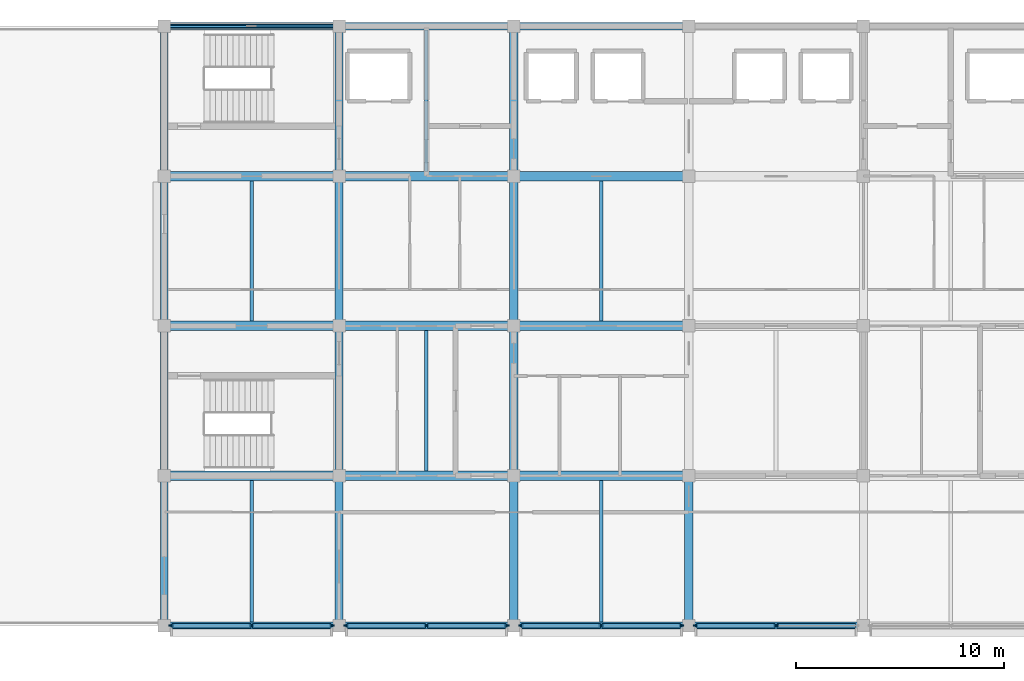
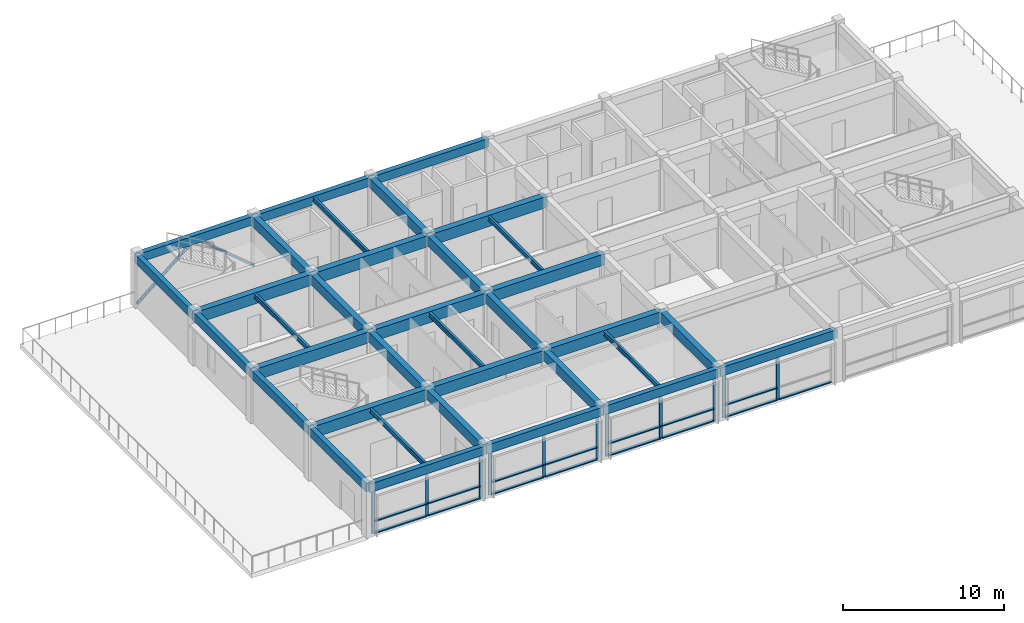
# One storey, part 2 of 13: 35 beams, 35 members, 4 elements without a shape of their own.
"""IFC4 building model written with IfcOpenShell, lengths in metres."""

from ifc_helpers import new_model, si_unit, direction, frame, origin, origin_2d, place, context, subcontext, project, spatial, rectangle, hollow_circle, i_section, extrude, material, layer, layer_set, material_profile, profile_set, type_object, element, aggregate, save


model = new_model("IFC4")

# Units and contexts
model_context = context("Model", 3, precision=1e-05, world=origin(), true_north=direction((0.0, 1.0)))
body_context = subcontext(model_context, "Body", "Model", "MODEL_VIEW")
ifc_project = project(units=[si_unit("LENGTHUNIT", "METRE"), si_unit("AREAUNIT", "SQUARE_METRE"), si_unit("VOLUMEUNIT", "CUBIC_METRE"), si_unit("PLANEANGLEUNIT", "RADIAN"), si_unit("MASSUNIT", "GRAM", prefix="KILO")], contexts=[model_context])

# Site, building, storey
site_placement = place(None, origin())
site = spatial("IfcSite", under=ifc_project, at=site_placement, CompositionType="ELEMENT")
building_placement = place(site_placement, origin())
building = spatial("IfcBuilding", under=site, at=building_placement, Name="Chengyuan Square Courthouse", CompositionType="ELEMENT")
storey_placement = place(building_placement, frame((0.0, 0.0, 60.300048828125)))
storey = spatial("IfcBuildingStorey", under=building, at=storey_placement, Name="L14", CompositionType="ELEMENT", Elevation=60.300048828125)

# Beams
ifc_material_1 = material(Name="Concrete C40", Category="concrete")
ifc_material_profile_1 = material_profile(ifc_material_1, rectangle(XDim=0.449951171875, YDim=0.85009765625, at=origin_2d()), Name="RC-BM-450x850")
ifc_profile_set_1 = profile_set([ifc_material_profile_1], Name="Concrete C40")
beam_type_1 = type_object("IfcBeamType", Name="BM-01", PredefinedType="USERDEFINED", material=ifc_profile_set_1)
beam_1_placement = place(storey_placement, frame((58.800048828125, 86.39990234375, 3.534912109375), z_axis=(1.0, 0.0, 0.0), x_axis=(0.0, 1.0, 0.0)))
element("IfcBeam", 1, at=beam_1_placement, inside=storey, type_object=beam_type_1, Name="Girder BM-L14-4430", ObjectType="GIRDER", PredefinedType="USERDEFINED", context=body_context, shape_type="SweptSolid", body=[
    extrude(rectangle(XDim=0.449951171875, YDim=0.85009765625, at=origin_2d()), origin(), (0.0, 0.0, 1.0), 8.39990234375),
])
beam_2_placement = place(storey_placement, frame((67.199951171875, 86.39990234375, 3.534912109375), z_axis=(1.0, 0.0, 0.0), x_axis=(0.0, 1.0, 0.0)))
element("IfcBeam", 2, at=beam_2_placement, inside=storey, type_object=beam_type_1, Name="Girder BM-L14-4431", ObjectType="GIRDER", PredefinedType="USERDEFINED", context=body_context, shape_type="SweptSolid", body=[
    extrude(rectangle(XDim=0.449951171875, YDim=0.85009765625, at=origin_2d()), origin(), (0.0, 0.0, 1.0), 8.400146484375),
])
for number, where, z_axis, x_axis, name in (
    (3, (75.60009765625, 86.39990234375, 3.534912109375), (1.0, 0.0, 0.0), (0.0, 1.0, 0.0), "Girder BM-L14-4432"),
    (4, (58.800048828125, 93.60009765625, 3.534912109375), (1.0, 0.0, 0.0), (0.0, 1.0, 0.0), "Girder BM-L14-4436"),
):
    element("IfcBeam", number, at=place(storey_placement, frame(where, z_axis=z_axis, x_axis=x_axis)), inside=storey, type_object=beam_type_1, Name=name, ObjectType="GIRDER", PredefinedType="USERDEFINED", context=body_context, shape_type="SweptSolid", body=[
        extrude(rectangle(XDim=0.449951171875, YDim=0.85009765625, at=origin_2d()), origin(), (0.0, 0.0, 1.0), 8.39990234375),
    ])
beam_3_placement = place(storey_placement, frame((67.199951171875, 93.60009765625, 3.534912109375), z_axis=(1.0, 0.0, 0.0), x_axis=(0.0, 1.0, 0.0)))
element("IfcBeam", 5, at=beam_3_placement, inside=storey, type_object=beam_type_1, Name="Girder BM-L14-4437", ObjectType="GIRDER", PredefinedType="USERDEFINED", context=body_context, shape_type="SweptSolid", body=[
    extrude(rectangle(XDim=0.449951171875, YDim=0.85009765625, at=origin_2d()), origin(), (0.0, 0.0, 1.0), 8.400146484375),
])
for number, where, z_axis, x_axis, name in (
    (6, (75.60009765625, 93.60009765625, 3.534912109375), (1.0, 0.0, 0.0), (0.0, 1.0, 0.0), "Girder BM-L14-4438"),
    (7, (58.800048828125, 100.800048828125, 3.534912109375), (1.0, 0.0, 0.0), (0.0, 1.0, 0.0), "Girder BM-L14-4442"),
):
    element("IfcBeam", number, at=place(storey_placement, frame(where, z_axis=z_axis, x_axis=x_axis)), inside=storey, type_object=beam_type_1, Name=name, ObjectType="GIRDER", PredefinedType="USERDEFINED", context=body_context, shape_type="SweptSolid", body=[
        extrude(rectangle(XDim=0.449951171875, YDim=0.85009765625, at=origin_2d()), origin(), (0.0, 0.0, 1.0), 8.39990234375),
    ])
beam_4_placement = place(storey_placement, frame((67.199951171875, 100.800048828125, 3.534912109375), z_axis=(1.0, 0.0, 0.0), x_axis=(0.0, 1.0, 0.0)))
element("IfcBeam", 8, at=beam_4_placement, inside=storey, type_object=beam_type_1, Name="Girder BM-L14-4443", ObjectType="GIRDER", PredefinedType="USERDEFINED", context=body_context, shape_type="SweptSolid", body=[
    extrude(rectangle(XDim=0.449951171875, YDim=0.85009765625, at=origin_2d()), origin(), (0.0, 0.0, 1.0), 8.400146484375),
])
beam_5_placement = place(storey_placement, frame((75.60009765625, 100.800048828125, 3.534912109375), z_axis=(1.0, 0.0, 0.0), x_axis=(0.0, 1.0, 0.0)))
element("IfcBeam", 9, at=beam_5_placement, inside=storey, type_object=beam_type_1, Name="Girder BM-L14-4444", ObjectType="GIRDER", PredefinedType="USERDEFINED", context=body_context, shape_type="SweptSolid", body=[
    extrude(rectangle(XDim=0.449951171875, YDim=0.85009765625, at=origin_2d()), origin(), (0.0, 0.0, 1.0), 8.39990234375),
])
ifc_material_profile_2 = material_profile(ifc_material_1, rectangle(XDim=0.39990234375, YDim=0.75, at=origin_2d()), Name="RC-BM-400x750")
ifc_profile_set_2 = profile_set([ifc_material_profile_2], Name="Concrete C40")
beam_type_2 = type_object("IfcBeamType", Name="BM-02", PredefinedType="USERDEFINED", material=ifc_profile_set_2)
beam_6_placement = place(storey_placement, frame((67.199951171875, 79.199951171875, 3.5849609375), z_axis=(0.0, 1.0, 0.0), x_axis=(-1.0, 0.0, 0.0)))
element("IfcBeam", 10, at=beam_6_placement, inside=storey, type_object=beam_type_2, Name="Girder BM-L14-4458", ObjectType="GIRDER", PredefinedType="USERDEFINED", context=body_context, shape_type="SweptSolid", body=[
    extrude(rectangle(XDim=0.39990234375, YDim=0.75, at=origin_2d()), origin(), (0.0, 0.0, 1.0), 7.199951171875),
])
beam_7_placement = place(storey_placement, frame((67.199951171875, 86.39990234375, 3.5849609375), z_axis=(0.0, 1.0, 0.0), x_axis=(-1.0, 0.0, 0.0)))
element("IfcBeam", 11, at=beam_7_placement, inside=storey, type_object=beam_type_2, Name="Girder BM-L14-4459", ObjectType="GIRDER", PredefinedType="USERDEFINED", context=body_context, shape_type="SweptSolid", body=[
    extrude(rectangle(XDim=0.39990234375, YDim=0.75, at=origin_2d()), origin(), (0.0, 0.0, 1.0), 7.2001953125),
])
for number, where, z_axis, x_axis, name in (
    (12, (67.199951171875, 93.60009765625, 3.5849609375), (0.0, 1.0, 0.0), (-1.0, 0.0, 0.0), "Girder BM-L14-4460"),
    (13, (67.199951171875, 100.800048828125, 3.5849609375), (0.0, 1.0, 0.0), (-1.0, 0.0, 0.0), "Girder BM-L14-4461"),
    (14, (75.60009765625, 79.199951171875, 3.5849609375), (0.0, 1.0, 0.0), (-1.0, 0.0, 0.0), "Girder BM-L14-4462"),
):
    element("IfcBeam", number, at=place(storey_placement, frame(where, z_axis=z_axis, x_axis=x_axis)), inside=storey, type_object=beam_type_2, Name=name, ObjectType="GIRDER", PredefinedType="USERDEFINED", context=body_context, shape_type="SweptSolid", body=[
        extrude(rectangle(XDim=0.39990234375, YDim=0.75, at=origin_2d()), origin(), (0.0, 0.0, 1.0), 7.199951171875),
    ])
beam_8_placement = place(storey_placement, frame((75.60009765625, 86.39990234375, 3.5849609375), z_axis=(0.0, 1.0, 0.0), x_axis=(-1.0, 0.0, 0.0)))
element("IfcBeam", 15, at=beam_8_placement, inside=storey, type_object=beam_type_2, Name="Girder BM-L14-4463", ObjectType="GIRDER", PredefinedType="USERDEFINED", context=body_context, shape_type="SweptSolid", body=[
    extrude(rectangle(XDim=0.39990234375, YDim=0.75, at=origin_2d()), origin(), (0.0, 0.0, 1.0), 7.2001953125),
])
for number, where, z_axis, x_axis, name in (
    (16, (75.60009765625, 93.60009765625, 3.5849609375), (0.0, 1.0, 0.0), (-1.0, 0.0, 0.0), "Girder BM-L14-4464"),
    (17, (75.60009765625, 100.800048828125, 3.5849609375), (0.0, 1.0, 0.0), (-1.0, 0.0, 0.0), "Girder BM-L14-4465"),
    (18, (84.0, 79.199951171875, 3.5849609375), (0.0, 1.0, 0.0), (-1.0, 0.0, 0.0), "Girder BM-L14-4466"),
):
    element("IfcBeam", number, at=place(storey_placement, frame(where, z_axis=z_axis, x_axis=x_axis)), inside=storey, type_object=beam_type_2, Name=name, ObjectType="GIRDER", PredefinedType="USERDEFINED", context=body_context, shape_type="SweptSolid", body=[
        extrude(rectangle(XDim=0.39990234375, YDim=0.75, at=origin_2d()), origin(), (0.0, 0.0, 1.0), 7.199951171875),
    ])
ifc_material_profile_3 = material_profile(ifc_material_1, rectangle(XDim=0.35009765625, YDim=0.64990234375, at=origin_2d()), Name="RC-BM-350x650")
ifc_profile_set_3 = profile_set([ifc_material_profile_3], Name="Concrete C40")
beam_type_3 = type_object("IfcBeamType", Name="BM-03", PredefinedType="SPANDREL", material=ifc_profile_set_3)
beam_9_placement = place(storey_placement, frame((58.800048828125, 79.199951171875, 3.635009765625), z_axis=(1.0, 0.0, 0.0), x_axis=(0.0, 1.0, 0.0)))
element("IfcBeam", 19, at=beam_9_placement, inside=storey, type_object=beam_type_3, Name="Girder BM-L14-4424", PredefinedType="SPANDREL", context=body_context, shape_type="SweptSolid", body=[
    extrude(rectangle(XDim=0.35009765625, YDim=0.64990234375, at=origin_2d()), origin(), (0.0, 0.0, 1.0), 8.39990234375),
])
beam_10_placement = place(storey_placement, frame((67.199951171875, 79.199951171875, 3.635009765625), z_axis=(1.0, 0.0, 0.0), x_axis=(0.0, 1.0, 0.0)))
element("IfcBeam", 20, at=beam_10_placement, inside=storey, type_object=beam_type_3, Name="Girder BM-L14-4425", PredefinedType="SPANDREL", context=body_context, shape_type="SweptSolid", body=[
    extrude(rectangle(XDim=0.35009765625, YDim=0.64990234375, at=origin_2d()), origin(), (0.0, 0.0, 1.0), 8.400146484375),
])
for number, where, z_axis, x_axis, name in (
    (21, (75.60009765625, 79.199951171875, 3.635009765625), (1.0, 0.0, 0.0), (0.0, 1.0, 0.0), "Girder BM-L14-4426"),
    (22, (84.0, 79.199951171875, 3.635009765625), (1.0, 0.0, 0.0), (0.0, 1.0, 0.0), "Girder BM-L14-4427"),
    (23, (58.800048828125, 108.0, 3.635009765625), (1.0, 0.0, 0.0), (0.0, 1.0, 0.0), "Girder BM-L14-4448"),
):
    element("IfcBeam", number, at=place(storey_placement, frame(where, z_axis=z_axis, x_axis=x_axis)), inside=storey, type_object=beam_type_3, Name=name, PredefinedType="SPANDREL", context=body_context, shape_type="SweptSolid", body=[
        extrude(rectangle(XDim=0.35009765625, YDim=0.64990234375, at=origin_2d()), origin(), (0.0, 0.0, 1.0), 8.39990234375),
    ])
beam_11_placement = place(storey_placement, frame((67.199951171875, 108.0, 3.635009765625), z_axis=(1.0, 0.0, 0.0), x_axis=(0.0, 1.0, 0.0)))
element("IfcBeam", 24, at=beam_11_placement, inside=storey, type_object=beam_type_3, Name="Girder BM-L14-4449", PredefinedType="SPANDREL", context=body_context, shape_type="SweptSolid", body=[
    extrude(rectangle(XDim=0.35009765625, YDim=0.64990234375, at=origin_2d()), origin(), (0.0, 0.0, 1.0), 8.400146484375),
])
beam_12_placement = place(storey_placement, frame((75.60009765625, 108.0, 3.635009765625), z_axis=(1.0, 0.0, 0.0), x_axis=(0.0, 1.0, 0.0)))
element("IfcBeam", 25, at=beam_12_placement, inside=storey, type_object=beam_type_3, Name="Girder BM-L14-4450", PredefinedType="SPANDREL", context=body_context, shape_type="SweptSolid", body=[
    extrude(rectangle(XDim=0.35009765625, YDim=0.64990234375, at=origin_2d()), origin(), (0.0, 0.0, 1.0), 8.39990234375),
])
beam_13_placement = place(storey_placement, frame((58.800048828125, 79.199951171875, 3.635009765625), z_axis=(0.0, 1.0, 0.0), x_axis=(-1.0, 0.0, 0.0)))
element("IfcBeam", 26, at=beam_13_placement, inside=storey, type_object=beam_type_3, Name="Girder BM-L14-4454", PredefinedType="SPANDREL", context=body_context, shape_type="SweptSolid", body=[
    extrude(rectangle(XDim=0.35009765625, YDim=0.64990234375, at=origin_2d()), origin(), (0.0, 0.0, 1.0), 7.199951171875),
])
beam_14_placement = place(storey_placement, frame((58.800048828125, 86.39990234375, 3.635009765625), z_axis=(0.0, 1.0, 0.0), x_axis=(-1.0, 0.0, 0.0)))
element("IfcBeam", 27, at=beam_14_placement, inside=storey, type_object=beam_type_3, Name="Girder BM-L14-4455", PredefinedType="SPANDREL", context=body_context, shape_type="SweptSolid", body=[
    extrude(rectangle(XDim=0.35009765625, YDim=0.64990234375, at=origin_2d()), origin(), (0.0, 0.0, 1.0), 7.2001953125),
])
for number, where, z_axis, x_axis, name in (
    (28, (58.800048828125, 93.60009765625, 3.635009765625), (0.0, 1.0, 0.0), (-1.0, 0.0, 0.0), "Girder BM-L14-4456"),
    (29, (58.800048828125, 100.800048828125, 3.635009765625), (0.0, 1.0, 0.0), (-1.0, 0.0, 0.0), "Girder BM-L14-4457"),
):
    element("IfcBeam", number, at=place(storey_placement, frame(where, z_axis=z_axis, x_axis=x_axis)), inside=storey, type_object=beam_type_3, Name=name, PredefinedType="SPANDREL", context=body_context, shape_type="SweptSolid", body=[
        extrude(rectangle(XDim=0.35009765625, YDim=0.64990234375, at=origin_2d()), origin(), (0.0, 0.0, 1.0), 7.199951171875),
    ])
ifc_material_2 = material(Name="Steel Q355B", Category="steel")
ifc_material_profile_4 = material_profile(ifc_material_2, i_section(OverallWidth=0.175048828125, OverallDepth=0.35009765625, WebThickness=0.007080078125, FlangeThickness=0.010986328125, at=origin_2d()), Name="HN 350x175x7x11")
ifc_profile_set_4 = profile_set([ifc_material_profile_4], Name="Steel Q355B")
beam_type_4 = type_object("IfcBeamType", Name="BM-08", PredefinedType="BEAM", material=ifc_profile_set_4)
beam_15_placement = place(storey_placement, frame((63.0, 79.375, 3.784912109375), z_axis=(0.0, 1.0, 0.0), x_axis=(-1.0, 0.0, 0.0)))
element("IfcBeam", 30, at=beam_15_placement, inside=storey, type_object=beam_type_4, Name="Secondary Floor Beam SBM-L14-4482", PredefinedType="BEAM", context=body_context, shape_type="SweptSolid", body=[
    extrude(i_section(OverallWidth=0.175048828125, OverallDepth=0.35009765625, WebThickness=0.007080078125, FlangeThickness=0.010986328125, at=origin_2d()), origin(), (0.0, 0.0, 1.0), 6.800048828125),
])
for number, where, z_axis, x_axis, name in (
    (31, (63.0, 93.824951171875, 3.784912109375), (0.0, 1.0, 0.0), (-1.0, 0.0, 0.0), "Secondary Floor Beam SBM-L14-4483"),
    (32, (71.39990234375, 86.625, 3.784912109375), (0.0, 1.0, 0.0), (-1.0, 0.0, 0.0), "Secondary Floor Beam SBM-L14-4484"),
):
    element("IfcBeam", number, at=place(storey_placement, frame(where, z_axis=z_axis, x_axis=x_axis)), inside=storey, type_object=beam_type_4, Name=name, PredefinedType="BEAM", context=body_context, shape_type="SweptSolid", body=[
        extrude(i_section(OverallWidth=0.175048828125, OverallDepth=0.35009765625, WebThickness=0.007080078125, FlangeThickness=0.010986328125, at=origin_2d()), origin(), (0.0, 0.0, 1.0), 6.75),
    ])
for number, where, z_axis, x_axis, name in (
    (33, (71.39990234375, 101.02490234375, 3.784912109375), (0.0, 1.0, 0.0), (-1.0, 0.0, 0.0), "Secondary Floor Beam SBM-L14-4485"),
    (34, (79.800048828125, 79.375, 3.784912109375), (0.0, 1.0, 0.0), (-1.0, 0.0, 0.0), "Secondary Floor Beam SBM-L14-4486"),
):
    element("IfcBeam", number, at=place(storey_placement, frame(where, z_axis=z_axis, x_axis=x_axis)), inside=storey, type_object=beam_type_4, Name=name, PredefinedType="BEAM", context=body_context, shape_type="SweptSolid", body=[
        extrude(i_section(OverallWidth=0.175048828125, OverallDepth=0.35009765625, WebThickness=0.007080078125, FlangeThickness=0.010986328125, at=origin_2d()), origin(), (0.0, 0.0, 1.0), 6.800048828125),
    ])
beam_16_placement = place(storey_placement, frame((79.800048828125, 93.824951171875, 3.784912109375), z_axis=(0.0, 1.0, 0.0), x_axis=(-1.0, 0.0, 0.0)))
element("IfcBeam", 35, at=beam_16_placement, inside=storey, type_object=beam_type_4, Name="Secondary Floor Beam SBM-L14-4487", PredefinedType="BEAM", context=body_context, shape_type="SweptSolid", body=[
    extrude(i_section(OverallWidth=0.175048828125, OverallDepth=0.35009765625, WebThickness=0.007080078125, FlangeThickness=0.010986328125, at=origin_2d()), origin(), (0.0, 0.0, 1.0), 6.75),
])

# Members
ifc_material_profile_5 = material_profile(ifc_material_2, hollow_circle(Radius=0.109619140625, WallThickness=0.008056640625, at=origin_2d()), Name="CHS 219x8")
ifc_profile_set_5 = profile_set([ifc_material_profile_5], Name="Steel Q355B")
member_type_1 = type_object("IfcMemberType", Name="BR-02", PredefinedType="BRACE", material=ifc_profile_set_5)
for number, where, z_axis, x_axis, name in (
    (36, (58.800048828125, 108.0, 0.099853515625), (0.767317473151, 0.0, 0.641267413329), (0.0, 1.0, 0.0), "Steel Chevron Brace BR-L14-053"),
    (37, (67.199951171875, 108.0, 0.099853515625), (-0.767317473151, 0.0, 0.641267413329), (0.0, -1.0, 0.0), "Steel Chevron Brace BR-L14-054"),
):
    element("IfcMember", number, at=place(storey_placement, frame(where, z_axis=z_axis, x_axis=x_axis)), inside=storey, type_object=member_type_1, Name=name, PredefinedType="BRACE", context=body_context, shape_type="SweptSolid", body=[
        extrude(hollow_circle(Radius=0.109619140625, WallThickness=0.008056640625, at=origin_2d()), origin(), (0.0, 0.0, 1.0), 5.4736328125),
    ])

# Curtain wall, members
ifc_material_3 = material(Name="Unitised Aluminium and Triple Low-E Glass", Category="aluminium")
ifc_layer = layer(ifc_material_3, 0.219970703125)
ifc_layer_set = layer_set([ifc_layer], Name="Unitised Aluminium and Triple Low-E Glass")
curtain_wall_type = type_object("IfcCurtainWallType", Name="CW-16", PredefinedType="USERDEFINED", material=ifc_layer_set)
curtain_wall_1_placement = place(storey_placement, origin())
curtain_wall_1 = element("IfcCurtainWall", 38, at=curtain_wall_1_placement, inside=storey, type_object=curtain_wall_type, Name="Unitised Curtain Wall CW-L14-270", ObjectType="UNITISED CURTAIN WALL", PredefinedType="USERDEFINED")
ifc_material_4 = material(Name="Aluminium 6063-T6 Frame", Category="aluminium")
ifc_material_profile_6 = material_profile(ifc_material_4, rectangle(XDim=0.080078125, YDim=0.219970703125, at=origin_2d()), Name="CW-MUL-80x220")
ifc_profile_set_6 = profile_set([ifc_material_profile_6], Name="Aluminium 6063-T6 Frame")
member_type_2 = type_object("IfcMemberType", Name="CWM-04", PredefinedType="MULLION", material=ifc_profile_set_6)
member_1_placement = place(storey_placement, frame((59.139892578125, 79.199951171875, 0.0), z_axis=(0.0, 0.0, 1.0), x_axis=(0.0, 1.0, 0.0)))
member_1 = element("IfcMember", 39, at=member_1_placement, type_object=member_type_2, Name="CW-16 mullion 1", PredefinedType="MULLION", context=body_context, shape_type="SweptSolid", body=[
    extrude(rectangle(XDim=0.080078125, YDim=0.219970703125, at=origin_2d()), origin(), (0.0, 0.0, 1.0), 3.31005859375),
])
member_2_placement = place(storey_placement, frame((63.0, 79.199951171875, 0.0), z_axis=(0.0, 0.0, 1.0), x_axis=(0.0, 1.0, 0.0)))
member_2 = element("IfcMember", 40, at=member_2_placement, type_object=member_type_2, Name="CW-16 mullion 2", PredefinedType="MULLION", context=body_context, shape_type="SweptSolid", body=[
    extrude(rectangle(XDim=0.080078125, YDim=0.219970703125, at=origin_2d()), origin(), (0.0, 0.0, 1.0), 3.31005859375),
])
member_3_placement = place(storey_placement, frame((66.860107421875, 79.199951171875, 0.0), z_axis=(0.0, 0.0, 1.0), x_axis=(0.0, 1.0, 0.0)))
member_3 = element("IfcMember", 41, at=member_3_placement, type_object=member_type_2, Name="CW-16 mullion 3", PredefinedType="MULLION", context=body_context, shape_type="SweptSolid", body=[
    extrude(rectangle(XDim=0.080078125, YDim=0.219970703125, at=origin_2d()), origin(), (0.0, 0.0, 1.0), 3.31005859375),
])

curtain_wall_2_placement = place(storey_placement, origin())
curtain_wall_2 = element("IfcCurtainWall", 42, at=curtain_wall_2_placement, inside=storey, type_object=curtain_wall_type, Name="Unitised Curtain Wall CW-L14-271", ObjectType="UNITISED CURTAIN WALL", PredefinedType="USERDEFINED")
member_4_placement = place(storey_placement, frame((67.5400390625, 79.199951171875, 0.0), z_axis=(0.0, 0.0, 1.0), x_axis=(0.0, 1.0, 0.0)))
member_4 = element("IfcMember", 43, at=member_4_placement, type_object=member_type_2, Name="CW-16 mullion 1", PredefinedType="MULLION", context=body_context, shape_type="SweptSolid", body=[
    extrude(rectangle(XDim=0.080078125, YDim=0.219970703125, at=origin_2d()), origin(), (0.0, 0.0, 1.0), 3.31005859375),
])
member_5_placement = place(storey_placement, frame((71.39990234375, 79.199951171875, 0.0), z_axis=(0.0, 0.0, 1.0), x_axis=(0.0, 1.0, 0.0)))
member_5 = element("IfcMember", 44, at=member_5_placement, type_object=member_type_2, Name="CW-16 mullion 2", PredefinedType="MULLION", context=body_context, shape_type="SweptSolid", body=[
    extrude(rectangle(XDim=0.080078125, YDim=0.219970703125, at=origin_2d()), origin(), (0.0, 0.0, 1.0), 3.31005859375),
])
member_6_placement = place(storey_placement, frame((75.260009765625, 79.199951171875, 0.0), z_axis=(0.0, 0.0, 1.0), x_axis=(0.0, 1.0, 0.0)))
member_6 = element("IfcMember", 45, at=member_6_placement, type_object=member_type_2, Name="CW-16 mullion 3", PredefinedType="MULLION", context=body_context, shape_type="SweptSolid", body=[
    extrude(rectangle(XDim=0.080078125, YDim=0.219970703125, at=origin_2d()), origin(), (0.0, 0.0, 1.0), 3.31005859375),
])

curtain_wall_3_placement = place(storey_placement, origin())
curtain_wall_3 = element("IfcCurtainWall", 46, at=curtain_wall_3_placement, inside=storey, type_object=curtain_wall_type, Name="Unitised Curtain Wall CW-L14-272", ObjectType="UNITISED CURTAIN WALL", PredefinedType="USERDEFINED")
member_7_placement = place(storey_placement, frame((75.93994140625, 79.199951171875, 0.0), z_axis=(0.0, 0.0, 1.0), x_axis=(0.0, 1.0, 0.0)))
member_7 = element("IfcMember", 47, at=member_7_placement, type_object=member_type_2, Name="CW-16 mullion 1", PredefinedType="MULLION", context=body_context, shape_type="SweptSolid", body=[
    extrude(rectangle(XDim=0.080078125, YDim=0.219970703125, at=origin_2d()), origin(), (0.0, 0.0, 1.0), 3.31005859375),
])
member_8_placement = place(storey_placement, frame((79.800048828125, 79.199951171875, 0.0), z_axis=(0.0, 0.0, 1.0), x_axis=(0.0, 1.0, 0.0)))
member_8 = element("IfcMember", 48, at=member_8_placement, type_object=member_type_2, Name="CW-16 mullion 2", PredefinedType="MULLION", context=body_context, shape_type="SweptSolid", body=[
    extrude(rectangle(XDim=0.080078125, YDim=0.219970703125, at=origin_2d()), origin(), (0.0, 0.0, 1.0), 3.31005859375),
])
member_9_placement = place(storey_placement, frame((83.659912109375, 79.199951171875, 0.0), z_axis=(0.0, 0.0, 1.0), x_axis=(0.0, 1.0, 0.0)))
member_9 = element("IfcMember", 49, at=member_9_placement, type_object=member_type_2, Name="CW-16 mullion 3", PredefinedType="MULLION", context=body_context, shape_type="SweptSolid", body=[
    extrude(rectangle(XDim=0.080078125, YDim=0.219970703125, at=origin_2d()), origin(), (0.0, 0.0, 1.0), 3.31005859375),
])

curtain_wall_4_placement = place(storey_placement, origin())
curtain_wall_4 = element("IfcCurtainWall", 50, at=curtain_wall_4_placement, inside=storey, type_object=curtain_wall_type, Name="Unitised Curtain Wall CW-L14-273", ObjectType="UNITISED CURTAIN WALL", PredefinedType="USERDEFINED")
member_10_placement = place(storey_placement, frame((84.340087890625, 79.199951171875, 0.0), z_axis=(0.0, 0.0, 1.0), x_axis=(0.0, 1.0, 0.0)))
member_10 = element("IfcMember", 51, at=member_10_placement, type_object=member_type_2, Name="CW-16 mullion 1", PredefinedType="MULLION", context=body_context, shape_type="SweptSolid", body=[
    extrude(rectangle(XDim=0.080078125, YDim=0.219970703125, at=origin_2d()), origin(), (0.0, 0.0, 1.0), 3.31005859375),
])
member_11_placement = place(storey_placement, frame((88.199951171875, 79.199951171875, 0.0), z_axis=(0.0, 0.0, 1.0), x_axis=(0.0, 1.0, 0.0)))
member_11 = element("IfcMember", 52, at=member_11_placement, type_object=member_type_2, Name="CW-16 mullion 2", PredefinedType="MULLION", context=body_context, shape_type="SweptSolid", body=[
    extrude(rectangle(XDim=0.080078125, YDim=0.219970703125, at=origin_2d()), origin(), (0.0, 0.0, 1.0), 3.31005859375),
])

# Member
ifc_material_profile_7 = material_profile(ifc_material_4, rectangle(XDim=0.219970703125, YDim=0.080078125, at=origin_2d()), Name="CW-TRN-80x180")
ifc_profile_set_7 = profile_set([ifc_material_profile_7], Name="Aluminium 6063-T6 Frame")
member_type_3 = type_object("IfcMemberType", Name="CWT-04", PredefinedType="USERDEFINED", material=ifc_profile_set_7)
member_12_placement = place(storey_placement, frame((59.179931640625, 79.199951171875, 0.0400390625), z_axis=(1.0, 0.0, 0.0), x_axis=(0.0, 1.0, 0.0)))
member_12 = element("IfcMember", 53, at=member_12_placement, type_object=member_type_3, Name="CW-16 transom 1.1", ObjectType="TRANSOM", PredefinedType="USERDEFINED", context=body_context, shape_type="SweptSolid", body=[
    extrude(rectangle(XDim=0.219970703125, YDim=0.080078125, at=origin_2d()), origin(), (0.0, 0.0, 1.0), 3.780029296875),
])

member_13_placement = place(storey_placement, frame((59.179931640625, 79.199951171875, 0.949951171875), z_axis=(1.0, 0.0, 0.0), x_axis=(0.0, 1.0, 0.0)))
member_13 = element("IfcMember", 54, at=member_13_placement, type_object=member_type_3, Name="CW-16 transom 1.2", ObjectType="TRANSOM", PredefinedType="USERDEFINED", context=body_context, shape_type="SweptSolid", body=[
    extrude(rectangle(XDim=0.219970703125, YDim=0.080078125, at=origin_2d()), origin(), (0.0, 0.0, 1.0), 3.780029296875),
])

member_14_placement = place(storey_placement, frame((59.179931640625, 79.199951171875, 3.27001953125), z_axis=(1.0, 0.0, 0.0), x_axis=(0.0, 1.0, 0.0)))
member_14 = element("IfcMember", 55, at=member_14_placement, type_object=member_type_3, Name="CW-16 transom 1.3", ObjectType="TRANSOM", PredefinedType="USERDEFINED", context=body_context, shape_type="SweptSolid", body=[
    extrude(rectangle(XDim=0.219970703125, YDim=0.080078125, at=origin_2d()), origin(), (0.0, 0.0, 1.0), 3.780029296875),
])

member_15_placement = place(storey_placement, frame((63.0400390625, 79.199951171875, 0.0400390625), z_axis=(1.0, 0.0, 0.0), x_axis=(0.0, 1.0, 0.0)))
member_15 = element("IfcMember", 56, at=member_15_placement, type_object=member_type_3, Name="CW-16 transom 2.1", ObjectType="TRANSOM", PredefinedType="USERDEFINED", context=body_context, shape_type="SweptSolid", body=[
    extrude(rectangle(XDim=0.219970703125, YDim=0.080078125, at=origin_2d()), origin(), (0.0, 0.0, 1.0), 3.780029296875),
])

member_16_placement = place(storey_placement, frame((63.0400390625, 79.199951171875, 0.949951171875), z_axis=(1.0, 0.0, 0.0), x_axis=(0.0, 1.0, 0.0)))
member_16 = element("IfcMember", 57, at=member_16_placement, type_object=member_type_3, Name="CW-16 transom 2.2", ObjectType="TRANSOM", PredefinedType="USERDEFINED", context=body_context, shape_type="SweptSolid", body=[
    extrude(rectangle(XDim=0.219970703125, YDim=0.080078125, at=origin_2d()), origin(), (0.0, 0.0, 1.0), 3.780029296875),
])

member_17_placement = place(storey_placement, frame((63.0400390625, 79.199951171875, 3.27001953125), z_axis=(1.0, 0.0, 0.0), x_axis=(0.0, 1.0, 0.0)))
member_17 = element("IfcMember", 58, at=member_17_placement, type_object=member_type_3, Name="CW-16 transom 2.3", ObjectType="TRANSOM", PredefinedType="USERDEFINED", context=body_context, shape_type="SweptSolid", body=[
    extrude(rectangle(XDim=0.219970703125, YDim=0.080078125, at=origin_2d()), origin(), (0.0, 0.0, 1.0), 3.780029296875),
])

aggregate(curtain_wall_1, [member_1, member_2, member_3, member_12, member_13, member_14, member_15, member_16, member_17])

member_18_placement = place(storey_placement, frame((67.580078125, 79.199951171875, 0.0400390625), z_axis=(1.0, 0.0, 0.0), x_axis=(0.0, 1.0, 0.0)))
member_18 = element("IfcMember", 59, at=member_18_placement, type_object=member_type_3, Name="CW-16 transom 1.1", ObjectType="TRANSOM", PredefinedType="USERDEFINED", context=body_context, shape_type="SweptSolid", body=[
    extrude(rectangle(XDim=0.219970703125, YDim=0.080078125, at=origin_2d()), origin(), (0.0, 0.0, 1.0), 3.780029296875),
])

member_19_placement = place(storey_placement, frame((67.580078125, 79.199951171875, 0.949951171875), z_axis=(1.0, 0.0, 0.0), x_axis=(0.0, 1.0, 0.0)))
member_19 = element("IfcMember", 60, at=member_19_placement, type_object=member_type_3, Name="CW-16 transom 1.2", ObjectType="TRANSOM", PredefinedType="USERDEFINED", context=body_context, shape_type="SweptSolid", body=[
    extrude(rectangle(XDim=0.219970703125, YDim=0.080078125, at=origin_2d()), origin(), (0.0, 0.0, 1.0), 3.780029296875),
])

member_20_placement = place(storey_placement, frame((67.580078125, 79.199951171875, 3.27001953125), z_axis=(1.0, 0.0, 0.0), x_axis=(0.0, 1.0, 0.0)))
member_20 = element("IfcMember", 61, at=member_20_placement, type_object=member_type_3, Name="CW-16 transom 1.3", ObjectType="TRANSOM", PredefinedType="USERDEFINED", context=body_context, shape_type="SweptSolid", body=[
    extrude(rectangle(XDim=0.219970703125, YDim=0.080078125, at=origin_2d()), origin(), (0.0, 0.0, 1.0), 3.780029296875),
])

member_21_placement = place(storey_placement, frame((71.43994140625, 79.199951171875, 0.0400390625), z_axis=(1.0, 0.0, 0.0), x_axis=(0.0, 1.0, 0.0)))
member_21 = element("IfcMember", 62, at=member_21_placement, type_object=member_type_3, Name="CW-16 transom 2.1", ObjectType="TRANSOM", PredefinedType="USERDEFINED", context=body_context, shape_type="SweptSolid", body=[
    extrude(rectangle(XDim=0.219970703125, YDim=0.080078125, at=origin_2d()), origin(), (0.0, 0.0, 1.0), 3.780029296875),
])

member_22_placement = place(storey_placement, frame((71.43994140625, 79.199951171875, 0.949951171875), z_axis=(1.0, 0.0, 0.0), x_axis=(0.0, 1.0, 0.0)))
member_22 = element("IfcMember", 63, at=member_22_placement, type_object=member_type_3, Name="CW-16 transom 2.2", ObjectType="TRANSOM", PredefinedType="USERDEFINED", context=body_context, shape_type="SweptSolid", body=[
    extrude(rectangle(XDim=0.219970703125, YDim=0.080078125, at=origin_2d()), origin(), (0.0, 0.0, 1.0), 3.780029296875),
])

member_23_placement = place(storey_placement, frame((71.43994140625, 79.199951171875, 3.27001953125), z_axis=(1.0, 0.0, 0.0), x_axis=(0.0, 1.0, 0.0)))
member_23 = element("IfcMember", 64, at=member_23_placement, type_object=member_type_3, Name="CW-16 transom 2.3", ObjectType="TRANSOM", PredefinedType="USERDEFINED", context=body_context, shape_type="SweptSolid", body=[
    extrude(rectangle(XDim=0.219970703125, YDim=0.080078125, at=origin_2d()), origin(), (0.0, 0.0, 1.0), 3.780029296875),
])

aggregate(curtain_wall_2, [member_4, member_5, member_6, member_18, member_19, member_20, member_21, member_22, member_23])

member_24_placement = place(storey_placement, frame((75.97998046875, 79.199951171875, 0.0400390625), z_axis=(1.0, 0.0, 0.0), x_axis=(0.0, 1.0, 0.0)))
member_24 = element("IfcMember", 65, at=member_24_placement, type_object=member_type_3, Name="CW-16 transom 1.1", ObjectType="TRANSOM", PredefinedType="USERDEFINED", context=body_context, shape_type="SweptSolid", body=[
    extrude(rectangle(XDim=0.219970703125, YDim=0.080078125, at=origin_2d()), origin(), (0.0, 0.0, 1.0), 3.780029296875),
])

member_25_placement = place(storey_placement, frame((75.97998046875, 79.199951171875, 0.949951171875), z_axis=(1.0, 0.0, 0.0), x_axis=(0.0, 1.0, 0.0)))
member_25 = element("IfcMember", 66, at=member_25_placement, type_object=member_type_3, Name="CW-16 transom 1.2", ObjectType="TRANSOM", PredefinedType="USERDEFINED", context=body_context, shape_type="SweptSolid", body=[
    extrude(rectangle(XDim=0.219970703125, YDim=0.080078125, at=origin_2d()), origin(), (0.0, 0.0, 1.0), 3.780029296875),
])

member_26_placement = place(storey_placement, frame((75.97998046875, 79.199951171875, 3.27001953125), z_axis=(1.0, 0.0, 0.0), x_axis=(0.0, 1.0, 0.0)))
member_26 = element("IfcMember", 67, at=member_26_placement, type_object=member_type_3, Name="CW-16 transom 1.3", ObjectType="TRANSOM", PredefinedType="USERDEFINED", context=body_context, shape_type="SweptSolid", body=[
    extrude(rectangle(XDim=0.219970703125, YDim=0.080078125, at=origin_2d()), origin(), (0.0, 0.0, 1.0), 3.780029296875),
])

member_27_placement = place(storey_placement, frame((79.840087890625, 79.199951171875, 0.0400390625), z_axis=(1.0, 0.0, 0.0), x_axis=(0.0, 1.0, 0.0)))
member_27 = element("IfcMember", 68, at=member_27_placement, type_object=member_type_3, Name="CW-16 transom 2.1", ObjectType="TRANSOM", PredefinedType="USERDEFINED", context=body_context, shape_type="SweptSolid", body=[
    extrude(rectangle(XDim=0.219970703125, YDim=0.080078125, at=origin_2d()), origin(), (0.0, 0.0, 1.0), 3.780029296875),
])

member_28_placement = place(storey_placement, frame((79.840087890625, 79.199951171875, 0.949951171875), z_axis=(1.0, 0.0, 0.0), x_axis=(0.0, 1.0, 0.0)))
member_28 = element("IfcMember", 69, at=member_28_placement, type_object=member_type_3, Name="CW-16 transom 2.2", ObjectType="TRANSOM", PredefinedType="USERDEFINED", context=body_context, shape_type="SweptSolid", body=[
    extrude(rectangle(XDim=0.219970703125, YDim=0.080078125, at=origin_2d()), origin(), (0.0, 0.0, 1.0), 3.780029296875),
])

member_29_placement = place(storey_placement, frame((79.840087890625, 79.199951171875, 3.27001953125), z_axis=(1.0, 0.0, 0.0), x_axis=(0.0, 1.0, 0.0)))
member_29 = element("IfcMember", 70, at=member_29_placement, type_object=member_type_3, Name="CW-16 transom 2.3", ObjectType="TRANSOM", PredefinedType="USERDEFINED", context=body_context, shape_type="SweptSolid", body=[
    extrude(rectangle(XDim=0.219970703125, YDim=0.080078125, at=origin_2d()), origin(), (0.0, 0.0, 1.0), 3.780029296875),
])

aggregate(curtain_wall_3, [member_7, member_8, member_9, member_24, member_25, member_26, member_27, member_28, member_29])

member_30_placement = place(storey_placement, frame((84.3798828125, 79.199951171875, 0.0400390625), z_axis=(1.0, 0.0, 0.0), x_axis=(0.0, 1.0, 0.0)))
member_30 = element("IfcMember", 71, at=member_30_placement, type_object=member_type_3, Name="CW-16 transom 1.1", ObjectType="TRANSOM", PredefinedType="USERDEFINED", context=body_context, shape_type="SweptSolid", body=[
    extrude(rectangle(XDim=0.219970703125, YDim=0.080078125, at=origin_2d()), origin(), (0.0, 0.0, 1.0), 3.780029296875),
])

member_31_placement = place(storey_placement, frame((84.3798828125, 79.199951171875, 0.949951171875), z_axis=(1.0, 0.0, 0.0), x_axis=(0.0, 1.0, 0.0)))
member_31 = element("IfcMember", 72, at=member_31_placement, type_object=member_type_3, Name="CW-16 transom 1.2", ObjectType="TRANSOM", PredefinedType="USERDEFINED", context=body_context, shape_type="SweptSolid", body=[
    extrude(rectangle(XDim=0.219970703125, YDim=0.080078125, at=origin_2d()), origin(), (0.0, 0.0, 1.0), 3.780029296875),
])

member_32_placement = place(storey_placement, frame((84.3798828125, 79.199951171875, 3.27001953125), z_axis=(1.0, 0.0, 0.0), x_axis=(0.0, 1.0, 0.0)))
member_32 = element("IfcMember", 73, at=member_32_placement, type_object=member_type_3, Name="CW-16 transom 1.3", ObjectType="TRANSOM", PredefinedType="USERDEFINED", context=body_context, shape_type="SweptSolid", body=[
    extrude(rectangle(XDim=0.219970703125, YDim=0.080078125, at=origin_2d()), origin(), (0.0, 0.0, 1.0), 3.780029296875),
])

member_33_placement = place(storey_placement, frame((88.239990234375, 79.199951171875, 0.0400390625), z_axis=(1.0, 0.0, 0.0), x_axis=(0.0, 1.0, 0.0)))
member_33 = element("IfcMember", 74, at=member_33_placement, type_object=member_type_3, Name="CW-16 transom 2.1", ObjectType="TRANSOM", PredefinedType="USERDEFINED", context=body_context, shape_type="SweptSolid", body=[
    extrude(rectangle(XDim=0.219970703125, YDim=0.080078125, at=origin_2d()), origin(), (0.0, 0.0, 1.0), 3.780029296875),
])

aggregate(curtain_wall_4, [member_10, member_11, member_30, member_31, member_32, member_33])

save(model, "model.ifc")
